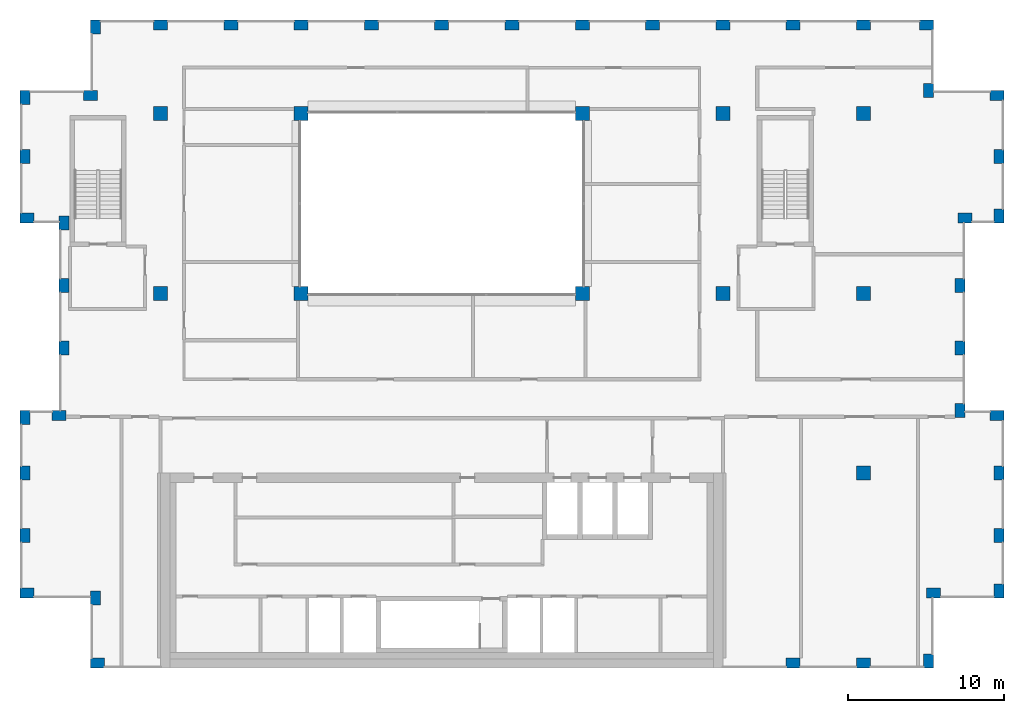
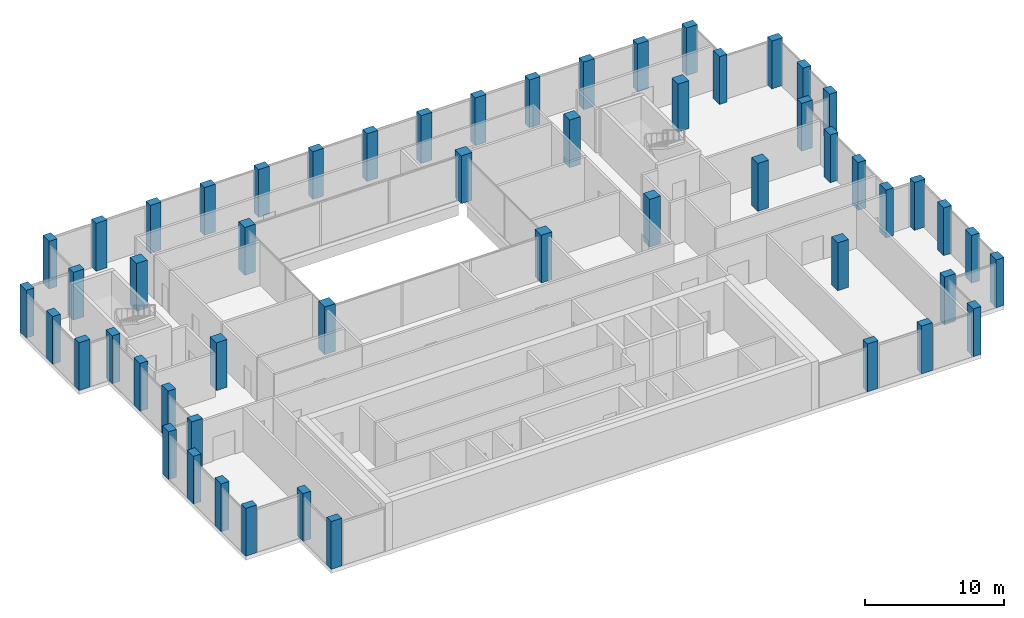
# One storey, part 1 of 15: 54 columns.
"""IFC4 building model written with IfcOpenShell, lengths in metres."""

import ifcopenshell
import ifcopenshell.guid

model = None  # the IFC model being written
_history = None  # IfcOwnerHistory: only IFC2X3 demands one
_inside = {}  # id of a spatial element -> (the spatial element, [elements in it])
_under = {}  # id of a project, library or spatial element -> (it, [spatial elements below it])
_declared = {}  # id of a project -> (the project, [libraries it declares])
_typed = {}  # id of a type object -> (the type object, [elements of that type])
_made_of = {}  # id of a material, layer set ... -> (it, [elements and type objects made of it])


def new_model(schema):
    """Start an empty IFC model of exactly this schema.

    Asked for "IFC4X3", IfcOpenShell would pick the latest addendum, in which some entities
    have other attributes; the version numbers below select the first issue.
    IFC2X3 requires an IfcOwnerHistory on every rooted entity: one is made here for all.
    """
    global model, _history
    if schema == "IFC4X3":
        model = ifcopenshell.file(schema_version=(4, 3, 0, 0))
    else:
        model = ifcopenshell.file(schema=schema)
    _inside.clear()
    _under.clear()
    _declared.clear()
    _typed.clear()
    _made_of.clear()
    _history = None
    if model.schema == "IFC2X3":
        org = make("IfcOrganization", Name="unknown")
        user = make(
            "IfcPersonAndOrganization",
            ThePerson=make("IfcPerson", FamilyName="unknown"),
            TheOrganization=org,
        )
        app = make(
            "IfcApplication",
            ApplicationDeveloper=org,
            Version="unknown",
            ApplicationFullName="unknown",
            ApplicationIdentifier="unknown",
        )
        _history = make(
            "IfcOwnerHistory",
            OwningUser=user,
            OwningApplication=app,
            ChangeAction="ADDED",
            CreationDate=0,
        )
    return model


def make(cls, **values):
    """One entity of the class cls with the attributes given. An attribute that is None is left unset."""
    return model.create_entity(
        cls, **{name: value for name, value in values.items() if value is not None}
    )


def rooted(cls, **values):
    """An entity with a GlobalId (a new one), such as an element, a storey or a relation."""
    return make(cls, GlobalId=ifcopenshell.guid.new(), OwnerHistory=_history, **values)


def si_unit(unit_type, name, prefix=None):
    """IfcSIUnit, for example si_unit("LENGTHUNIT", "METRE", prefix="MILLI")."""
    return make("IfcSIUnit", UnitType=unit_type, Prefix=prefix, Name=name)


def assignment(units):
    """IfcUnitAssignment: the units of a project."""
    return None if units is None else make("IfcUnitAssignment", Units=units)


def point(xyz):
    """IfcCartesianPoint."""
    return None if xyz is None else make("IfcCartesianPoint", Coordinates=xyz)


def direction(xyz):
    """IfcDirection."""
    return None if xyz is None else make("IfcDirection", DirectionRatios=xyz)


def frame(location, z_axis=None, x_axis=None):
    """IfcAxis2Placement3D, a coordinate frame: its origin and axes. An axis left out is left unset."""
    return make(
        "IfcAxis2Placement3D",
        Location=point(location),
        Axis=direction(z_axis),
        RefDirection=direction(x_axis),
    )


def frame_2d(location, x_axis=None):
    """IfcAxis2Placement2D, a coordinate frame in the plane: its origin and x axis."""
    return make(
        "IfcAxis2Placement2D", Location=point(location), RefDirection=direction(x_axis)
    )


def origin():
    """The frame at (0, 0, 0) with its axes left unset."""
    return frame((0.0, 0.0, 0.0))


def origin_2d():
    """The frame at (0, 0) in the plane with its x axis left unset."""
    return frame_2d((0.0, 0.0))


def place(relative_to, where):
    """IfcLocalPlacement: puts the frame where relative to a parent placement (None: the world)."""
    return make(
        "IfcLocalPlacement", PlacementRelTo=relative_to, RelativePlacement=where
    )


def context(
    kind, dimensions, precision=None, world=None, true_north=None, identifier=None
):
    """IfcGeometricRepresentationContext, for example the 3D "Model" context."""
    return make(
        "IfcGeometricRepresentationContext",
        ContextIdentifier=identifier,
        ContextType=kind,
        CoordinateSpaceDimension=dimensions,
        Precision=precision,
        WorldCoordinateSystem=world,
        TrueNorth=true_north,
    )


def subcontext(parent, identifier, kind, view, scale=None):
    """IfcGeometricRepresentationSubContext, for example "Body" below "Model"."""
    return make(
        "IfcGeometricRepresentationSubContext",
        ContextIdentifier=identifier,
        ContextType=kind,
        ParentContext=parent,
        TargetScale=scale,
        TargetView=view,
    )


def project(units=None, contexts=None):
    """IfcProject with its units and contexts."""
    return rooted(
        "IfcProject",
        Name="project",
        RepresentationContexts=contexts,
        UnitsInContext=assignment(units),
    )


def spatial(cls, under=None, at=None, **own):
    """A site, building, storey or space (cls), placed at a placement, below another one or the project."""
    s = rooted(cls, ObjectPlacement=at, **own)
    if under is not None:
        _under.setdefault(under.id(), (under, []))[1].append(s)
    return s


def profile(cls, at=None, kind="AREA", **sizes):
    """A parametric profile (cls). Its sizes go by their IFC names, for example OverallWidth=200.0."""
    return make(cls, ProfileType=kind, Position=at, **sizes)


def rectangle(**sizes):
    """IfcRectangleProfileDef."""
    return profile("IfcRectangleProfileDef", **sizes)


def extrude(swept, where, along, depth):
    """IfcExtrudedAreaSolid: the profile swept, set in the frame where, extruded along a direction by depth."""
    return make(
        "IfcExtrudedAreaSolid",
        SweptArea=swept,
        Position=where,
        ExtrudedDirection=direction(along),
        Depth=depth,
    )


def shape(context_of_items, identifier, shape_type, items):
    """IfcShapeRepresentation: the items that make up one representation, for example the "Body"."""
    return make(
        "IfcShapeRepresentation",
        ContextOfItems=context_of_items,
        RepresentationIdentifier=identifier,
        RepresentationType=shape_type,
        Items=items,
    )


def material(Name=None, Category=None):
    """IfcMaterial."""
    return make("IfcMaterial", Name=Name, Category=Category)


def material_profile(
    of_material, cross_section, Name=None, Category=None, Priority=None
):
    """IfcMaterialProfile: a cross section and its material."""
    return make(
        "IfcMaterialProfile",
        Name=Name,
        Material=of_material,
        Profile=cross_section,
        Priority=Priority,
        Category=Category,
    )


def profile_set(profiles, Name=None, composite=None):
    """IfcMaterialProfileSet."""
    return make(
        "IfcMaterialProfileSet",
        Name=Name,
        MaterialProfiles=profiles,
        CompositeProfile=composite,
    )


def made_of(thing, what):
    """Note that an element or type object is made of a material, layer set ...; save() writes the relation."""
    if what is not None:
        _made_of.setdefault(what.id(), (what, []))[1].append(thing)
    return thing


def type_object(cls, material=None, **own):
    """A type object (cls), such as IfcWallType, which elements share."""
    return made_of(rooted(cls, **own), material)


def element(
    cls,
    number,
    at=None,
    inside=None,
    cuts=None,
    type_object=None,
    material=None,
    context=None,
    identifier="Body",
    shape_type=None,
    held_by="IfcProductDefinitionShape",
    body=None,
    shapes=None,
    **own,
):
    """One element of the class cls, such as IfcWall. Its Tag is "e" and its number.

    at: its placement. inside: the storey or other place that contains it. cuts: it is an
    opening in that element (IfcRelVoidsElement). A single representation is given by context,
    identifier, shape_type and body (its items); several are given by shapes. held_by: the class
    of the entity that holds the representations. save() writes the other relations.
    """
    e = rooted(cls, Tag="e%d" % number, ObjectPlacement=at, **own)
    if body is not None:
        shapes = [shape(context, identifier, shape_type, body)]
    if shapes is not None:
        e.Representation = make(held_by, Representations=shapes)
    if inside is not None:
        _inside.setdefault(inside.id(), (inside, []))[1].append(e)
    if cuts is not None:
        rooted(
            "IfcRelVoidsElement", RelatingBuildingElement=cuts, RelatedOpeningElement=e
        )
    if type_object is not None:
        _typed.setdefault(type_object.id(), (type_object, []))[1].append(e)
    return made_of(e, material)


def aggregate(whole, parts):
    """IfcRelAggregates: a whole, such as a stair, and the parts it consists of."""
    return rooted("IfcRelAggregates", RelatingObject=whole, RelatedObjects=parts)


def save(model, path):
    """Write the relations noted so far, then the file.

    IfcRelAggregates (storeys below a building ...), IfcRelContainedInSpatialStructure (elements
    in a storey), IfcRelDefinesByType, IfcRelAssociatesMaterial and IfcRelDeclares: one each for
    every whole, place, type object, material and project.
    """
    for whole, parts in _under.values():
        aggregate(whole, parts)
    for where, things in _inside.values():
        rooted(
            "IfcRelContainedInSpatialStructure",
            RelatedElements=things,
            RelatingStructure=where,
        )
    for kind, things in _typed.values():
        rooted("IfcRelDefinesByType", RelatedObjects=things, RelatingType=kind)
    for what, things in _made_of.values():
        rooted("IfcRelAssociatesMaterial", RelatedObjects=things, RelatingMaterial=what)
    for by, libraries in _declared.values():
        rooted("IfcRelDeclares", RelatingContext=by, RelatedDefinitions=libraries)
    model.write(path)


model = new_model("IFC4")

# Units and contexts
model_context = context("Model", 3, precision=1e-05, world=origin(), true_north=direction((0.0, 1.0)))
body_context = subcontext(model_context, "Body", "Model", "MODEL_VIEW")
ifc_project = project(units=[si_unit("LENGTHUNIT", "METRE"), si_unit("AREAUNIT", "SQUARE_METRE"), si_unit("VOLUMEUNIT", "CUBIC_METRE"), si_unit("PLANEANGLEUNIT", "RADIAN"), si_unit("MASSUNIT", "GRAM", prefix="KILO")], contexts=[model_context])

# Site, building, storey
site_placement = place(None, origin())
site = spatial("IfcSite", under=ifc_project, at=site_placement, CompositionType="ELEMENT")
building_placement = place(site_placement, origin())
building = spatial("IfcBuilding", under=site, at=building_placement, Name="Brigalow Station Residences", CompositionType="ELEMENT")
storey_placement = place(building_placement, frame((0.0, 0.0, 240.0)))
storey = spatial("IfcBuildingStorey", under=building, at=storey_placement, Name="L69", CompositionType="ELEMENT", Elevation=240.0)

# Columns
ifc_material_1 = material(Name="Concrete C50", Category="concrete")
ifc_material_profile_1 = material_profile(ifc_material_1, rectangle(XDim=0.89990234375, YDim=0.89990234375, at=origin_2d()), Name="RC900x900")
ifc_profile_set_1 = profile_set([ifc_material_profile_1], Name="Concrete C50")
column_type_1 = type_object("IfcColumnType", Name="COLUMN 900x900 C50", PredefinedType="COLUMN", material=ifc_profile_set_1)
for number, where, z_axis, x_axis, name in (
    (1, (18.0, 24.0, 0.0), (0.0, 0.0, 1.0), (1.0, 0.0, 0.0), "COLUMN C2 L69"),
    (2, (27.0, 24.0, 0.0), (0.0, 0.0, 1.0), (1.0, 0.0, 0.0), "COLUMN C3 L69"),
    (3, (45.0, 24.0, 0.0), (0.0, 0.0, 1.0), (1.0, 0.0, 0.0), "COLUMN C5 L69"),
    (4, (54.0, 24.0, 0.0), (0.0, 0.0, 1.0), (1.0, 0.0, 0.0), "COLUMN C6 L69"),
    (5, (63.0, 24.0, 0.0), (0.0, 0.0, 1.0), (1.0, 0.0, 0.0), "COLUMN C7 L69"),
    (6, (18.0, 35.5, 0.0), (0.0, 0.0, 1.0), (1.0, 0.0, 0.0), "COLUMN D2 L69"),
    (7, (27.0, 35.5, 0.0), (0.0, 0.0, 1.0), (1.0, 0.0, 0.0), "COLUMN D3 L69"),
    (8, (45.0, 35.5, 0.0), (0.0, 0.0, 1.0), (1.0, 0.0, 0.0), "COLUMN D5 L69"),
    (9, (54.0, 35.5, 0.0), (0.0, 0.0, 1.0), (1.0, 0.0, 0.0), "COLUMN D6 L69"),
    (10, (63.0, 35.5, 0.0), (0.0, 0.0, 1.0), (1.0, 0.0, 0.0), "COLUMN D7 L69"),
    (11, (63.0, 12.5, 0.0), (0.0, 0.0, 1.0), (1.0, 0.0, 0.0), "COLUMN B7 L69"),
):
    element("IfcColumn", number, at=place(storey_placement, frame(where, z_axis=z_axis, x_axis=x_axis)), inside=storey, type_object=column_type_1, Name=name, PredefinedType="COLUMN", context=body_context, shape_type="SweptSolid", body=[
        extrude(rectangle(XDim=0.89990234375, YDim=0.89990234375, at=origin_2d()), origin(), (0.0, 0.0, 1.0), 4.199951171875),
    ])
ifc_material_2 = material(Name="Concrete C50", Category="concrete")
ifc_material_profile_2 = material_profile(ifc_material_2, rectangle(XDim=0.89990234375, YDim=0.64990234375, at=origin_2d()), Name="RC900x650")
ifc_profile_set_2 = profile_set([ifc_material_profile_2], Name="Concrete C50")
column_type_2 = type_object("IfcColumnType", Name="PIER 900x650 C50", PredefinedType="USERDEFINED", material=ifc_profile_set_2)
for number, where, z_axis, x_axis, name in (
    (12, (13.949951171875, 0.324951171875, 0.0), (0.0, 0.0, 1.0), (1.0, 0.0, 0.0), "PIER S-1 L69"),
    (13, (58.5, 0.324951171875, 0.0), (0.0, 0.0, 1.0), (1.0, 0.0, 0.0), "PIER S-11 L69"),
    (14, (63.0, 0.324951171875, 0.0), (0.0, 0.0, 1.0), (1.0, 0.0, 0.0), "PIER S-12 L69"),
    (15, (67.175048828125, 0.449951171875, 0.0), (0.0, 0.0, 1.0), (0.0, 1.0, 0.0), "PIER SE1-1 L69"),
    (16, (67.5, 4.824951171875, 0.0), (0.0, 0.0, 1.0), (1.0, 0.0, 0.0), "PIER SE2-1 L69"),
    (17, (71.675048828125, 4.949951171875, 0.0), (0.0, 0.0, 1.0), (0.0, 1.0, 0.0), "PIER E1-1 L69"),
    (18, (71.675048828125, 8.5, 0.0), (0.0, 0.0, 1.0), (0.0, 1.0, 0.0), "PIER E1-2 L69"),
    (19, (71.675048828125, 12.5, 0.0), (0.0, 0.0, 1.0), (0.0, 1.0, 0.0), "PIER E1-3 L69"),
    (20, (71.550048828125, 16.175048828125, 0.0), (0.0, 0.0, 1.0), (-1.0, 0.0, 0.0), "PIER EL1-1 L69"),
    (21, (69.175048828125, 16.5, 0.0), (0.0, 0.0, 1.0), (0.0, 1.0, 0.0), "PIER EL2-1 L69"),
    (22, (69.175048828125, 20.5, 0.0), (0.0, 0.0, 1.0), (0.0, 1.0, 0.0), "PIER EL2-2 L69"),
    (23, (69.175048828125, 24.5, 0.0), (0.0, 0.0, 1.0), (0.0, 1.0, 0.0), "PIER EL2-3 L69"),
    (24, (69.5, 28.824951171875, 0.0), (0.0, 0.0, 1.0), (1.0, 0.0, 0.0), "PIER EL3-1 L69"),
    (25, (71.675048828125, 28.949951171875, 0.0), (0.0, 0.0, 1.0), (0.0, 1.0, 0.0), "PIER E2-1 L69"),
    (26, (71.675048828125, 32.75, 0.0), (0.0, 0.0, 1.0), (0.0, 1.0, 0.0), "PIER E2-2 L69"),
    (27, (71.550048828125, 36.675048828125, 0.0), (0.0, 0.0, 1.0), (-1.0, 0.0, 0.0), "PIER NE1-1 L69"),
    (28, (67.175048828125, 37.0, 0.0), (0.0, 0.0, 1.0), (0.0, 1.0, 0.0), "PIER NE2-1 L69"),
    (29, (67.050048828125, 41.175048828125, 0.0), (0.0, 0.0, 1.0), (-1.0, 0.0, 0.0), "PIER N-1 L69"),
    (30, (63.0, 41.175048828125, 0.0), (0.0, 0.0, 1.0), (-1.0, 0.0, 0.0), "PIER N-2 L69"),
    (31, (58.5, 41.175048828125, 0.0), (0.0, 0.0, 1.0), (-1.0, 0.0, 0.0), "PIER N-3 L69"),
    (32, (54.0, 41.175048828125, 0.0), (0.0, 0.0, 1.0), (-1.0, 0.0, 0.0), "PIER N-4 L69"),
    (33, (49.5, 41.175048828125, 0.0), (0.0, 0.0, 1.0), (-1.0, 0.0, 0.0), "PIER N-5 L69"),
    (34, (45.0, 41.175048828125, 0.0), (0.0, 0.0, 1.0), (-1.0, 0.0, 0.0), "PIER N-6 L69"),
    (35, (40.5, 41.175048828125, 0.0), (0.0, 0.0, 1.0), (-1.0, 0.0, 0.0), "PIER N-7 L69"),
    (36, (36.0, 41.175048828125, 0.0), (0.0, 0.0, 1.0), (-1.0, 0.0, 0.0), "PIER N-8 L69"),
    (37, (31.5, 41.175048828125, 0.0), (0.0, 0.0, 1.0), (-1.0, 0.0, 0.0), "PIER N-9 L69"),
    (38, (27.0, 41.175048828125, 0.0), (0.0, 0.0, 1.0), (-1.0, 0.0, 0.0), "PIER N-10 L69"),
    (39, (22.5, 41.175048828125, 0.0), (0.0, 0.0, 1.0), (-1.0, 0.0, 0.0), "PIER N-11 L69"),
    (40, (18.0, 41.175048828125, 0.0), (0.0, 0.0, 1.0), (-1.0, 0.0, 0.0), "PIER N-12 L69"),
    (41, (13.824951171875, 41.050048828125, 0.0), (0.0, 0.0, 1.0), (0.0, -1.0, 0.0), "PIER NW1-1 L69"),
    (42, (13.5, 36.675048828125, 0.0), (0.0, 0.0, 1.0), (-1.0, 0.0, 0.0), "PIER NW2-1 L69"),
    (43, (9.324951171875, 36.550048828125, 0.0), (0.0, 0.0, 1.0), (0.0, -1.0, 0.0), "PIER W2-1 L69"),
    (44, (9.324951171875, 32.75, 0.0), (0.0, 0.0, 1.0), (0.0, -1.0, 0.0), "PIER W2-2 L69"),
    (45, (9.449951171875, 28.824951171875, 0.0), (0.0, 0.0, 1.0), (1.0, 0.0, 0.0), "PIER WL1-1 L69"),
    (46, (11.824951171875, 28.5, 0.0), (0.0, 0.0, 1.0), (0.0, -1.0, 0.0), "PIER WL2-1 L69"),
    (47, (11.824951171875, 24.5, 0.0), (0.0, 0.0, 1.0), (0.0, -1.0, 0.0), "PIER WL2-2 L69"),
    (48, (11.824951171875, 20.5, 0.0), (0.0, 0.0, 1.0), (0.0, -1.0, 0.0), "PIER WL2-3 L69"),
    (49, (11.5, 16.175048828125, 0.0), (0.0, 0.0, 1.0), (-1.0, 0.0, 0.0), "PIER WL3-1 L69"),
    (50, (9.324951171875, 16.050048828125, 0.0), (0.0, 0.0, 1.0), (0.0, -1.0, 0.0), "PIER W1-1 L69"),
    (51, (9.324951171875, 12.5, 0.0), (0.0, 0.0, 1.0), (0.0, -1.0, 0.0), "PIER W1-2 L69"),
    (52, (9.324951171875, 8.5, 0.0), (0.0, 0.0, 1.0), (0.0, -1.0, 0.0), "PIER W1-3 L69"),
    (53, (9.449951171875, 4.824951171875, 0.0), (0.0, 0.0, 1.0), (1.0, 0.0, 0.0), "PIER SW1-1 L69"),
    (54, (13.824951171875, 4.5, 0.0), (0.0, 0.0, 1.0), (0.0, -1.0, 0.0), "PIER SW2-1 L69"),
):
    element("IfcColumn", number, at=place(storey_placement, frame(where, z_axis=z_axis, x_axis=x_axis)), inside=storey, type_object=column_type_2, Name=name, ObjectType="PIER", PredefinedType="USERDEFINED", context=body_context, shape_type="SweptSolid", body=[
        extrude(rectangle(XDim=0.89990234375, YDim=0.64990234375, at=origin_2d()), origin(), (0.0, 0.0, 1.0), 4.199951171875),
    ])

save(model, "model.ifc")
